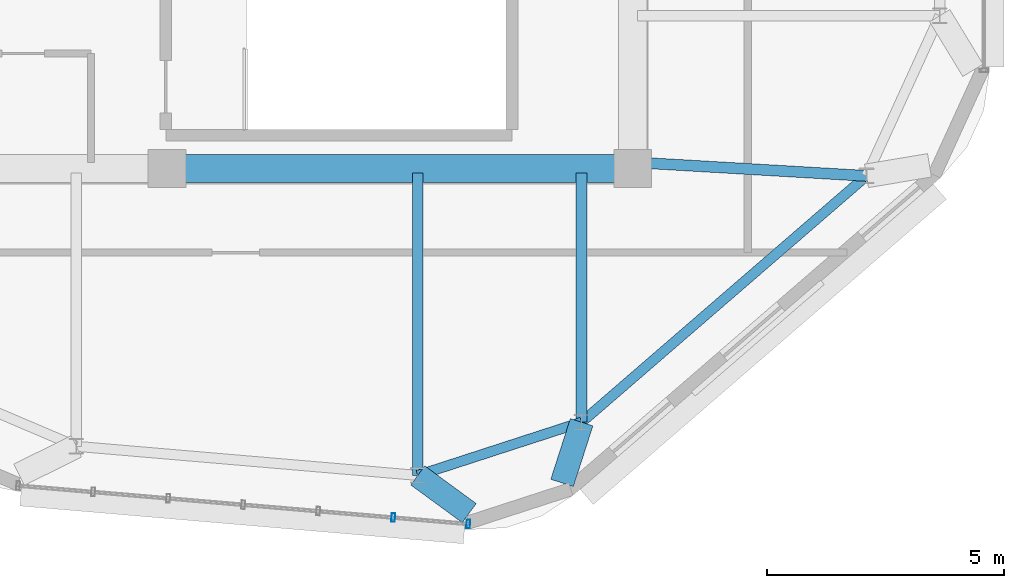
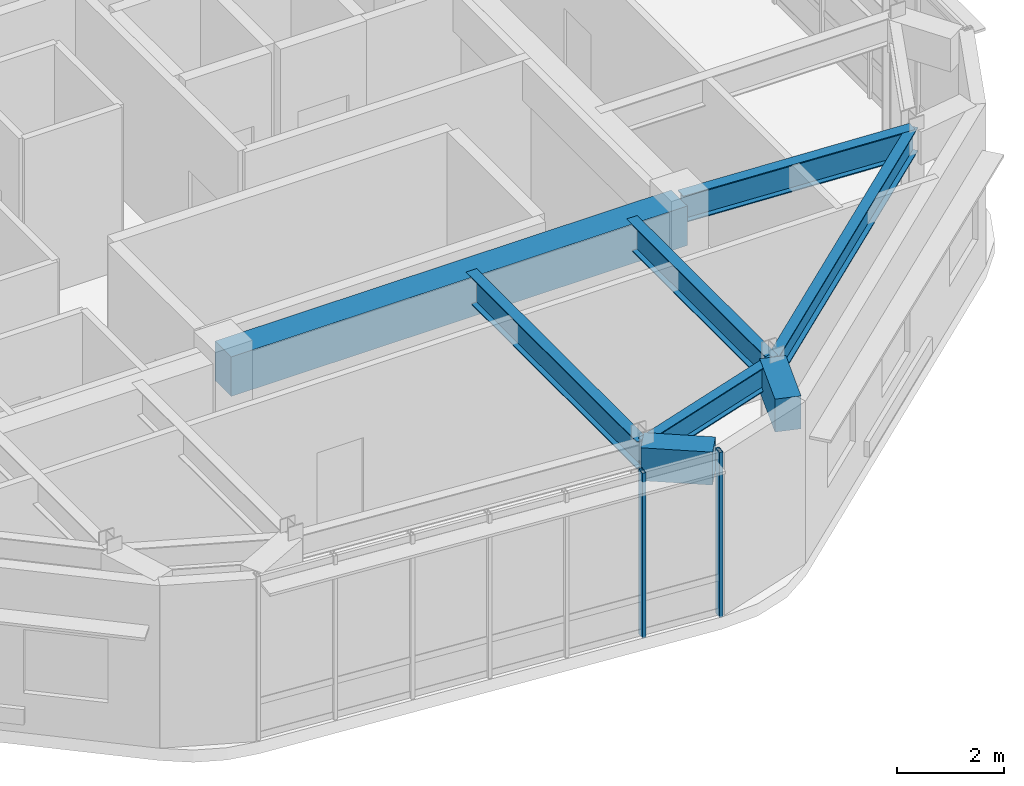
# One storey, part 4 of 13: 8 beams, 2 members, 1 element without a shape of its own.
"""IFC4 building model written with IfcOpenShell, lengths in metres."""

import ifcopenshell
import ifcopenshell.guid

model = None  # the IFC model being written
_history = None  # IfcOwnerHistory: only IFC2X3 demands one
_inside = {}  # id of a spatial element -> (the spatial element, [elements in it])
_under = {}  # id of a project, library or spatial element -> (it, [spatial elements below it])
_declared = {}  # id of a project -> (the project, [libraries it declares])
_typed = {}  # id of a type object -> (the type object, [elements of that type])
_made_of = {}  # id of a material, layer set ... -> (it, [elements and type objects made of it])


def new_model(schema):
    """Start an empty IFC model of exactly this schema.

    Asked for "IFC4X3", IfcOpenShell would pick the latest addendum, in which some entities
    have other attributes; the version numbers below select the first issue.
    IFC2X3 requires an IfcOwnerHistory on every rooted entity: one is made here for all.
    """
    global model, _history
    if schema == "IFC4X3":
        model = ifcopenshell.file(schema_version=(4, 3, 0, 0))
    else:
        model = ifcopenshell.file(schema=schema)
    _inside.clear()
    _under.clear()
    _declared.clear()
    _typed.clear()
    _made_of.clear()
    _history = None
    if model.schema == "IFC2X3":
        org = make("IfcOrganization", Name="unknown")
        user = make(
            "IfcPersonAndOrganization",
            ThePerson=make("IfcPerson", FamilyName="unknown"),
            TheOrganization=org,
        )
        app = make(
            "IfcApplication",
            ApplicationDeveloper=org,
            Version="unknown",
            ApplicationFullName="unknown",
            ApplicationIdentifier="unknown",
        )
        _history = make(
            "IfcOwnerHistory",
            OwningUser=user,
            OwningApplication=app,
            ChangeAction="ADDED",
            CreationDate=0,
        )
    return model


def make(cls, **values):
    """One entity of the class cls with the attributes given. An attribute that is None is left unset."""
    return model.create_entity(
        cls, **{name: value for name, value in values.items() if value is not None}
    )


def rooted(cls, **values):
    """An entity with a GlobalId (a new one), such as an element, a storey or a relation."""
    return make(cls, GlobalId=ifcopenshell.guid.new(), OwnerHistory=_history, **values)


def si_unit(unit_type, name, prefix=None):
    """IfcSIUnit, for example si_unit("LENGTHUNIT", "METRE", prefix="MILLI")."""
    return make("IfcSIUnit", UnitType=unit_type, Prefix=prefix, Name=name)


def assignment(units):
    """IfcUnitAssignment: the units of a project."""
    return None if units is None else make("IfcUnitAssignment", Units=units)


def point(xyz):
    """IfcCartesianPoint."""
    return None if xyz is None else make("IfcCartesianPoint", Coordinates=xyz)


def direction(xyz):
    """IfcDirection."""
    return None if xyz is None else make("IfcDirection", DirectionRatios=xyz)


def frame(location, z_axis=None, x_axis=None):
    """IfcAxis2Placement3D, a coordinate frame: its origin and axes. An axis left out is left unset."""
    return make(
        "IfcAxis2Placement3D",
        Location=point(location),
        Axis=direction(z_axis),
        RefDirection=direction(x_axis),
    )


def frame_2d(location, x_axis=None):
    """IfcAxis2Placement2D, a coordinate frame in the plane: its origin and x axis."""
    return make(
        "IfcAxis2Placement2D", Location=point(location), RefDirection=direction(x_axis)
    )


def origin():
    """The frame at (0, 0, 0) with its axes left unset."""
    return frame((0.0, 0.0, 0.0))


def origin_2d():
    """The frame at (0, 0) in the plane with its x axis left unset."""
    return frame_2d((0.0, 0.0))


def place(relative_to, where):
    """IfcLocalPlacement: puts the frame where relative to a parent placement (None: the world)."""
    return make(
        "IfcLocalPlacement", PlacementRelTo=relative_to, RelativePlacement=where
    )


def context(
    kind, dimensions, precision=None, world=None, true_north=None, identifier=None
):
    """IfcGeometricRepresentationContext, for example the 3D "Model" context."""
    return make(
        "IfcGeometricRepresentationContext",
        ContextIdentifier=identifier,
        ContextType=kind,
        CoordinateSpaceDimension=dimensions,
        Precision=precision,
        WorldCoordinateSystem=world,
        TrueNorth=true_north,
    )


def subcontext(parent, identifier, kind, view, scale=None):
    """IfcGeometricRepresentationSubContext, for example "Body" below "Model"."""
    return make(
        "IfcGeometricRepresentationSubContext",
        ContextIdentifier=identifier,
        ContextType=kind,
        ParentContext=parent,
        TargetScale=scale,
        TargetView=view,
    )


def project(units=None, contexts=None):
    """IfcProject with its units and contexts."""
    return rooted(
        "IfcProject",
        Name="project",
        RepresentationContexts=contexts,
        UnitsInContext=assignment(units),
    )


def spatial(cls, under=None, at=None, **own):
    """A site, building, storey or space (cls), placed at a placement, below another one or the project."""
    s = rooted(cls, ObjectPlacement=at, **own)
    if under is not None:
        _under.setdefault(under.id(), (under, []))[1].append(s)
    return s


def profile(cls, at=None, kind="AREA", **sizes):
    """A parametric profile (cls). Its sizes go by their IFC names, for example OverallWidth=200.0."""
    return make(cls, ProfileType=kind, Position=at, **sizes)


def rectangle(**sizes):
    """IfcRectangleProfileDef."""
    return profile("IfcRectangleProfileDef", **sizes)


def hollow_rectangle(**sizes):
    """IfcRectangleHollowProfileDef."""
    return profile("IfcRectangleHollowProfileDef", **sizes)


def i_section(**sizes):
    """IfcIShapeProfileDef."""
    return profile("IfcIShapeProfileDef", **sizes)


def extrude(swept, where, along, depth):
    """IfcExtrudedAreaSolid: the profile swept, set in the frame where, extruded along a direction by depth."""
    return make(
        "IfcExtrudedAreaSolid",
        SweptArea=swept,
        Position=where,
        ExtrudedDirection=direction(along),
        Depth=depth,
    )


def shape(context_of_items, identifier, shape_type, items):
    """IfcShapeRepresentation: the items that make up one representation, for example the "Body"."""
    return make(
        "IfcShapeRepresentation",
        ContextOfItems=context_of_items,
        RepresentationIdentifier=identifier,
        RepresentationType=shape_type,
        Items=items,
    )


def material(Name=None, Category=None):
    """IfcMaterial."""
    return make("IfcMaterial", Name=Name, Category=Category)


def material_profile(
    of_material, cross_section, Name=None, Category=None, Priority=None
):
    """IfcMaterialProfile: a cross section and its material."""
    return make(
        "IfcMaterialProfile",
        Name=Name,
        Material=of_material,
        Profile=cross_section,
        Priority=Priority,
        Category=Category,
    )


def profile_set(profiles, Name=None, composite=None):
    """IfcMaterialProfileSet."""
    return make(
        "IfcMaterialProfileSet",
        Name=Name,
        MaterialProfiles=profiles,
        CompositeProfile=composite,
    )


def made_of(thing, what):
    """Note that an element or type object is made of a material, layer set ...; save() writes the relation."""
    if what is not None:
        _made_of.setdefault(what.id(), (what, []))[1].append(thing)
    return thing


def type_object(cls, material=None, **own):
    """A type object (cls), such as IfcWallType, which elements share."""
    return made_of(rooted(cls, **own), material)


def element(
    cls,
    number,
    at=None,
    inside=None,
    cuts=None,
    type_object=None,
    material=None,
    context=None,
    identifier="Body",
    shape_type=None,
    held_by="IfcProductDefinitionShape",
    body=None,
    shapes=None,
    **own,
):
    """One element of the class cls, such as IfcWall. Its Tag is "e" and its number.

    at: its placement. inside: the storey or other place that contains it. cuts: it is an
    opening in that element (IfcRelVoidsElement). A single representation is given by context,
    identifier, shape_type and body (its items); several are given by shapes. held_by: the class
    of the entity that holds the representations. save() writes the other relations.
    """
    e = rooted(cls, Tag="e%d" % number, ObjectPlacement=at, **own)
    if body is not None:
        shapes = [shape(context, identifier, shape_type, body)]
    if shapes is not None:
        e.Representation = make(held_by, Representations=shapes)
    if inside is not None:
        _inside.setdefault(inside.id(), (inside, []))[1].append(e)
    if cuts is not None:
        rooted(
            "IfcRelVoidsElement", RelatingBuildingElement=cuts, RelatedOpeningElement=e
        )
    if type_object is not None:
        _typed.setdefault(type_object.id(), (type_object, []))[1].append(e)
    return made_of(e, material)


def aggregate(whole, parts):
    """IfcRelAggregates: a whole, such as a stair, and the parts it consists of."""
    return rooted("IfcRelAggregates", RelatingObject=whole, RelatedObjects=parts)


def save(model, path):
    """Write the relations noted so far, then the file.

    IfcRelAggregates (storeys below a building ...), IfcRelContainedInSpatialStructure (elements
    in a storey), IfcRelDefinesByType, IfcRelAssociatesMaterial and IfcRelDeclares: one each for
    every whole, place, type object, material and project.
    """
    for whole, parts in _under.values():
        aggregate(whole, parts)
    for where, things in _inside.values():
        rooted(
            "IfcRelContainedInSpatialStructure",
            RelatedElements=things,
            RelatingStructure=where,
        )
    for kind, things in _typed.values():
        rooted("IfcRelDefinesByType", RelatedObjects=things, RelatingType=kind)
    for what, things in _made_of.values():
        rooted("IfcRelAssociatesMaterial", RelatedObjects=things, RelatingMaterial=what)
    for by, libraries in _declared.values():
        rooted("IfcRelDeclares", RelatingContext=by, RelatedDefinitions=libraries)
    model.write(path)


model = new_model("IFC4")

# Units and contexts
model_context = context("Model", 3, precision=1e-05, world=origin(), true_north=direction((0.0, 1.0)))
body_context = subcontext(model_context, "Body", "Model", "MODEL_VIEW")
ifc_project = project(units=[si_unit("LENGTHUNIT", "METRE"), si_unit("AREAUNIT", "SQUARE_METRE"), si_unit("VOLUMEUNIT", "CUBIC_METRE"), si_unit("PLANEANGLEUNIT", "RADIAN"), si_unit("MASSUNIT", "GRAM", prefix="KILO")], contexts=[model_context])

# Site, building, storey
site_placement = place(None, origin())
site = spatial("IfcSite", under=ifc_project, at=site_placement, CompositionType="ELEMENT")
building_placement = place(site_placement, origin())
building = spatial("IfcBuilding", under=site, at=building_placement, Name="Zulverin Broadcast Headquarters", CompositionType="ELEMENT")
storey_placement = place(building_placement, frame((0.0, 0.0, 333.39990234375)))
storey = spatial("IfcBuildingStorey", under=building, at=storey_placement, Name="C6", CompositionType="ELEMENT", Elevation=333.39990234375)

# Beams
ifc_material_1 = material(Name="Concrete C60/75", Category="concrete")
ifc_material_profile_1 = material_profile(ifc_material_1, rectangle(XDim=0.60009765625, YDim=0.89990234375, at=origin_2d()), Name="Concrete C60/75", Category="concrete")
ifc_profile_set_1 = profile_set([ifc_material_profile_1], Name="Concrete C60/75")
beam_type_1 = type_object("IfcBeamType", Name="BM-CB-600x900", PredefinedType="LINTEL", material=ifc_profile_set_1)
beam_1_placement = place(storey_placement, frame((38.449951171875, 17.324951171875, 3.25), z_axis=(1.0, 0.0, 0.0), x_axis=(0.0, 1.0, 0.0)))
element("IfcBeam", 1, at=beam_1_placement, inside=storey, type_object=beam_type_1, Name="C6 Core Coupling Girder K02-K03", PredefinedType="LINTEL", context=body_context, shape_type="SweptSolid", body=[
    extrude(rectangle(XDim=0.60009765625, YDim=0.89990234375, at=origin_2d()), origin(), (0.0, 0.0, 1.0), 9.824951171875),
])
ifc_material_2 = material(Name="Concrete C40/50", Category="concrete")
ifc_material_profile_2 = material_profile(ifc_material_2, rectangle(XDim=0.5, YDim=0.75, at=origin_2d()), Name="Concrete C40/50", Category="concrete")
ifc_profile_set_2 = profile_set([ifc_material_profile_2], Name="Concrete C40/50")
beam_type_2 = type_object("IfcBeamType", Name="BM-RC-500x750", PredefinedType="BEAM", material=ifc_profile_set_2)
beam_2_placement = place(storey_placement, frame((43.7392578125, 10.851318359375, 3.3251953125), z_axis=(0.806952331507, -0.590616571622, 0.0), x_axis=(0.590616571622, 0.806952331507, 0.0)))
element("IfcBeam", 2, at=beam_2_placement, inside=storey, type_object=beam_type_2, Name="RF Plate Overhang Back-Spanned Beam OVR-02", PredefinedType="BEAM", context=body_context, shape_type="SweptSolid", body=[
    extrude(rectangle(XDim=0.5, YDim=0.75, at=origin_2d()), origin(), (0.0, 0.0, 1.0), 1.346435546875),
])
beam_3_placement = place(storey_placement, frame((47.196044921875, 11.973388671875, 3.3251953125), z_axis=(-0.30630855824, -0.951932280758, 0.0), x_axis=(0.951932280758, -0.30630855824, 0.0)))
element("IfcBeam", 3, at=beam_3_placement, inside=storey, type_object=beam_type_2, Name="RF Plate Overhang Back-Spanned Beam OVR-03", PredefinedType="BEAM", context=body_context, shape_type="SweptSolid", body=[
    extrude(rectangle(XDim=0.5, YDim=0.75, at=origin_2d()), origin(), (0.0, 0.0, 1.0), 1.34619140625),
])
ifc_material_3 = material(Name="Structural steel S355JR", Category="steel")
ifc_material_profile_3 = material_profile(ifc_material_3, i_section(OverallWidth=0.2119140625, OverallDepth=0.54443359375, WebThickness=0.0126953125, FlangeThickness=0.021240234375, at=origin_2d()), Name="Structural steel S355JR", Category="steel")
ifc_profile_set_3 = profile_set([ifc_material_profile_3], Name="Structural steel S355JR")
beam_type_3 = type_object("IfcBeamType", Name="BM-UB-533", PredefinedType="SPANDREL", material=ifc_profile_set_3)
beam_4_placement = place(storey_placement, frame((43.7392578125, 10.851318359375, 3.427978515625), z_axis=(0.951146067617, 0.308741247741, 0.0), x_axis=(-0.308741247741, 0.951146067617, 0.0)))
element("IfcBeam", 4, at=beam_4_placement, inside=storey, type_object=beam_type_3, Name="C6 Perimeter Spandrel Beam SP-02", PredefinedType="SPANDREL", context=body_context, shape_type="SweptSolid", body=[
    extrude(i_section(OverallWidth=0.2119140625, OverallDepth=0.54443359375, WebThickness=0.0126953125, FlangeThickness=0.021240234375, at=origin_2d()), origin(), (0.0, 0.0, 1.0), 3.63427734375),
])
beam_5_placement = place(storey_placement, frame((47.196044921875, 11.973388671875, 3.427978515625), z_axis=(0.756481523052, 0.654015065026, 0.0), x_axis=(-0.654015065026, 0.756481523052, 0.0)))
element("IfcBeam", 5, at=beam_5_placement, inside=storey, type_object=beam_type_3, Name="C6 Perimeter Spandrel Beam SP-03", PredefinedType="SPANDREL", context=body_context, shape_type="SweptSolid", body=[
    extrude(i_section(OverallWidth=0.2119140625, OverallDepth=0.54443359375, WebThickness=0.0126953125, FlangeThickness=0.021240234375, at=origin_2d()), origin(), (0.0, 0.0, 1.0), 7.943603515625),
])
ifc_material_profile_4 = material_profile(ifc_material_3, i_section(OverallWidth=0.230224609375, OverallDepth=0.6171875, WebThickness=0.01318359375, FlangeThickness=0.022216796875, at=origin_2d()), Name="Structural steel S355JR", Category="steel")
ifc_profile_set_4 = profile_set([ifc_material_profile_4], Name="Structural steel S355JR")
beam_type_4 = type_object("IfcBeamType", Name="BM-UB-610", PredefinedType="BEAM", material=ifc_profile_set_4)
beam_6_placement = place(storey_placement, frame((43.7392578125, 17.22509765625, 3.3916015625), z_axis=(0.0, -1.0, 0.0), x_axis=(1.0, 0.0, 0.0)))
element("IfcBeam", 6, at=beam_6_placement, inside=storey, type_object=beam_type_4, Name="C6 Radial Primary Floor Beam RB-02", PredefinedType="BEAM", context=body_context, shape_type="SweptSolid", body=[
    extrude(i_section(OverallWidth=0.230224609375, OverallDepth=0.6171875, WebThickness=0.01318359375, FlangeThickness=0.022216796875, at=origin_2d()), origin(), (0.0, 0.0, 1.0), 6.373779296875),
])
beam_7_placement = place(storey_placement, frame((47.196044921875, 17.22509765625, 3.3916015625), z_axis=(0.0, -1.0, 0.0), x_axis=(1.0, 0.0, 0.0)))
element("IfcBeam", 7, at=beam_7_placement, inside=storey, type_object=beam_type_4, Name="C6 Radial Primary Floor Beam RB-03", PredefinedType="BEAM", context=body_context, shape_type="SweptSolid", body=[
    extrude(i_section(OverallWidth=0.230224609375, OverallDepth=0.6171875, WebThickness=0.01318359375, FlangeThickness=0.022216796875, at=origin_2d()), origin(), (0.0, 0.0, 1.0), 5.251708984375),
])
beam_8_placement = place(storey_placement, frame((48.375, 17.449951171875, 3.3916015625), z_axis=(0.998309168666, -0.058127478509, 0.0), x_axis=(0.058127478509, 0.998309168666, 0.0)))
element("IfcBeam", 8, at=beam_8_placement, inside=storey, type_object=beam_type_4, Name="C6 Radial Primary Floor Beam RB-04", PredefinedType="BEAM", context=body_context, shape_type="SweptSolid", body=[
    extrude(i_section(OverallWidth=0.230224609375, OverallDepth=0.6171875, WebThickness=0.01318359375, FlangeThickness=0.022216796875, at=origin_2d()), origin(), (0.0, 0.0, 1.0), 4.838623046875),
])

# Curtain wall, members
ifc_material_4 = material(Name="Crown damper-hall structural glass curtain wall", Category="glass")
curtain_wall_type = type_object("IfcCurtainWallType", Name="CW-CRN", PredefinedType="USERDEFINED", material=ifc_material_4)
curtain_wall_placement = place(storey_placement, origin())
curtain_wall = element("IfcCurtainWall", 9, at=curtain_wall_placement, inside=storey, type_object=curtain_wall_type, Name="C6 Unitised Curtain Wall CW-C6-E1", ObjectType="UNITISED CURTAIN WALL", PredefinedType="USERDEFINED")
ifc_material_5 = material(Name="Anodized pale-metal aluminium alloy 6063-T6", Category="aluminium")
ifc_material_profile_5 = material_profile(ifc_material_5, hollow_rectangle(XDim=0.074951171875, YDim=0.179931640625, WallThickness=0.0048828125, at=origin_2d()), Name="Anodized pale-metal aluminium alloy 6063-T6", Category="aluminium")
ifc_profile_set_5 = profile_set([ifc_material_profile_5], Name="Anodized pale-metal aluminium alloy 6063-T6")
member_type = type_object("IfcMemberType", Name="CW-MUL-180", PredefinedType="MULLION", material=ifc_profile_set_5)
member_1_placement = place(storey_placement, frame((43.223876953125, 9.9619140625, -0.02978515625), z_axis=(0.0, 0.0, 1.0), x_axis=(0.996389439284, -0.084900443359, 0.0)))
member_1 = element("IfcMember", 10, at=member_1_placement, type_object=member_type, Name="CW-C6-E1 Mullion 05", PredefinedType="MULLION", context=body_context, shape_type="SweptSolid", body=[
    extrude(hollow_rectangle(XDim=0.074951171875, YDim=0.179931640625, WallThickness=0.0048828125, at=origin_2d()), origin(), (0.0, 0.0, 1.0), 3.759765625),
])
member_2_placement = place(storey_placement, frame((44.80615234375, 9.826904296875, -0.02978515625), z_axis=(0.0, 0.0, 1.0), x_axis=(0.996389439284, -0.084900443359, 0.0)))
member_2 = element("IfcMember", 11, at=member_2_placement, type_object=member_type, Name="CW-C6-E1 Mullion 06", PredefinedType="MULLION", context=body_context, shape_type="SweptSolid", body=[
    extrude(hollow_rectangle(XDim=0.074951171875, YDim=0.179931640625, WallThickness=0.0048828125, at=origin_2d()), origin(), (0.0, 0.0, 1.0), 3.759765625),
])
aggregate(curtain_wall, [member_1, member_2])

save(model, "model.ifc")
